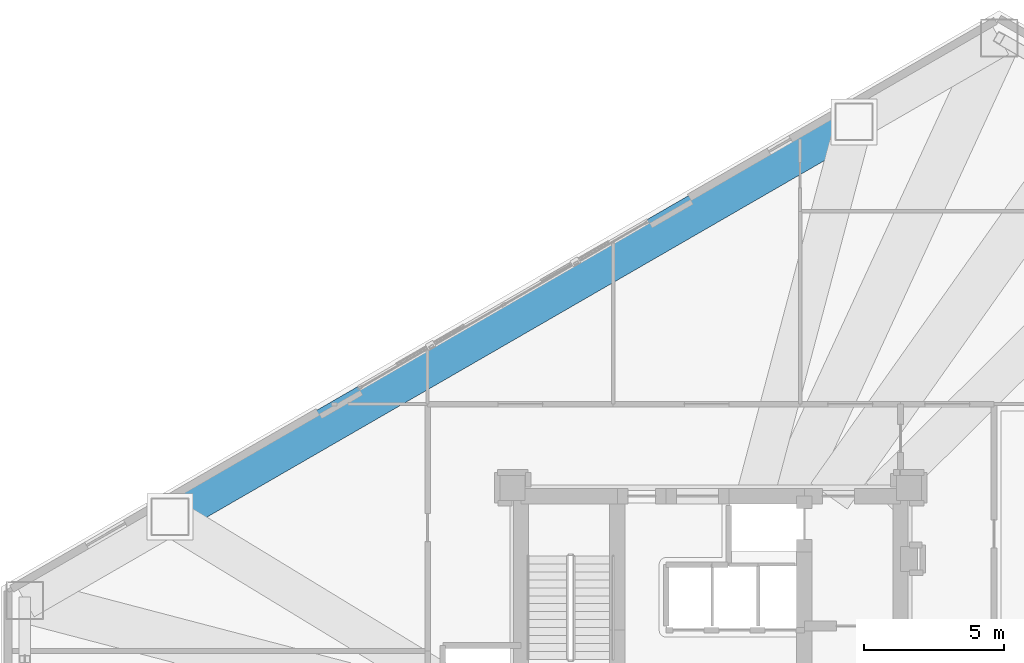
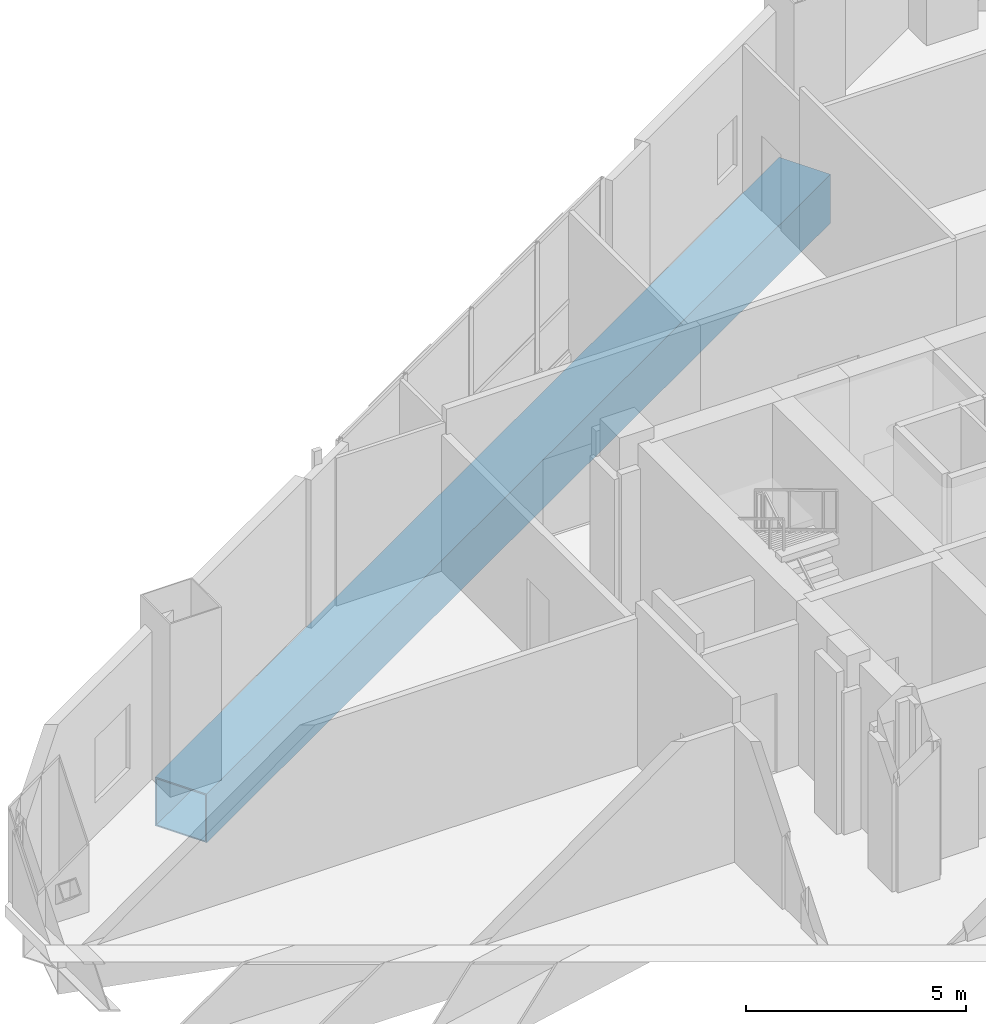
# One storey, part 12 of 29: 1 beam.
"""IFC4 building model written with IfcOpenShell, lengths in metres."""

from ifc_helpers import new_model, si_unit, direction, frame, origin, origin_2d, place, context, subcontext, project, spatial, hollow_rectangle, extrude, material, material_profile, profile_set, type_object, element, save


model = new_model("IFC4")

# Units and contexts
model_context = context("Model", 3, precision=1e-05, world=origin(), true_north=direction((0.0, 1.0)))
body_context = subcontext(model_context, "Body", "Model", "MODEL_VIEW")
ifc_project = project(units=[si_unit("LENGTHUNIT", "METRE"), si_unit("AREAUNIT", "SQUARE_METRE"), si_unit("VOLUMEUNIT", "CUBIC_METRE"), si_unit("PLANEANGLEUNIT", "RADIAN"), si_unit("MASSUNIT", "GRAM", prefix="KILO")], contexts=[model_context])

# Site, building, storey
site_placement = place(None, origin())
site = spatial("IfcSite", under=ifc_project, at=site_placement, CompositionType="ELEMENT")
building_placement = place(site_placement, origin())
building = spatial("IfcBuilding", under=site, at=building_placement, Name="Mersakhor Tower and Convention Hall", CompositionType="ELEMENT")
storey_placement = place(building_placement, frame((0.0, 0.0, 9.60009765625)))
storey = spatial("IfcBuildingStorey", under=building, at=storey_placement, Name="L02", CompositionType="ELEMENT", Elevation=9.60009765625)

# Beam
ifc_material = material(Name="Steel S460", Category="steel")
ifc_material_profile = material_profile(ifc_material, hollow_rectangle(XDim=1.35009765625, YDim=1.35009765625, WallThickness=0.035888671875, at=origin_2d()), Name="SHS 1350x1350x36")
ifc_profile_set = profile_set([ifc_material_profile], Name="Steel S460")
beam_type = type_object("IfcBeamType", Name="BM-TR-BOX1350", PredefinedType="BEAM", material=ifc_profile_set)
beam_placement = place(storey_placement, frame((9.61669921875, 32.013671875, -0.9951171875), z_axis=(0.86602732334, 0.499996675217, 0.0), x_axis=(-0.499996675217, 0.86602732334, 0.0)))
element("IfcBeam", 1, at=beam_placement, inside=storey, type_object=beam_type, Name="L02 Podium Back-Span Transfer Box Girder TB-F1-2", PredefinedType="BEAM", context=body_context, shape_type="SweptSolid", body=[
    extrude(hollow_rectangle(XDim=1.35009765625, YDim=1.35009765625, WallThickness=0.035888671875, at=origin_2d()), origin(), (0.0, 0.0, 1.0), 28.309326171875),
])

save(model, "model.ifc")
